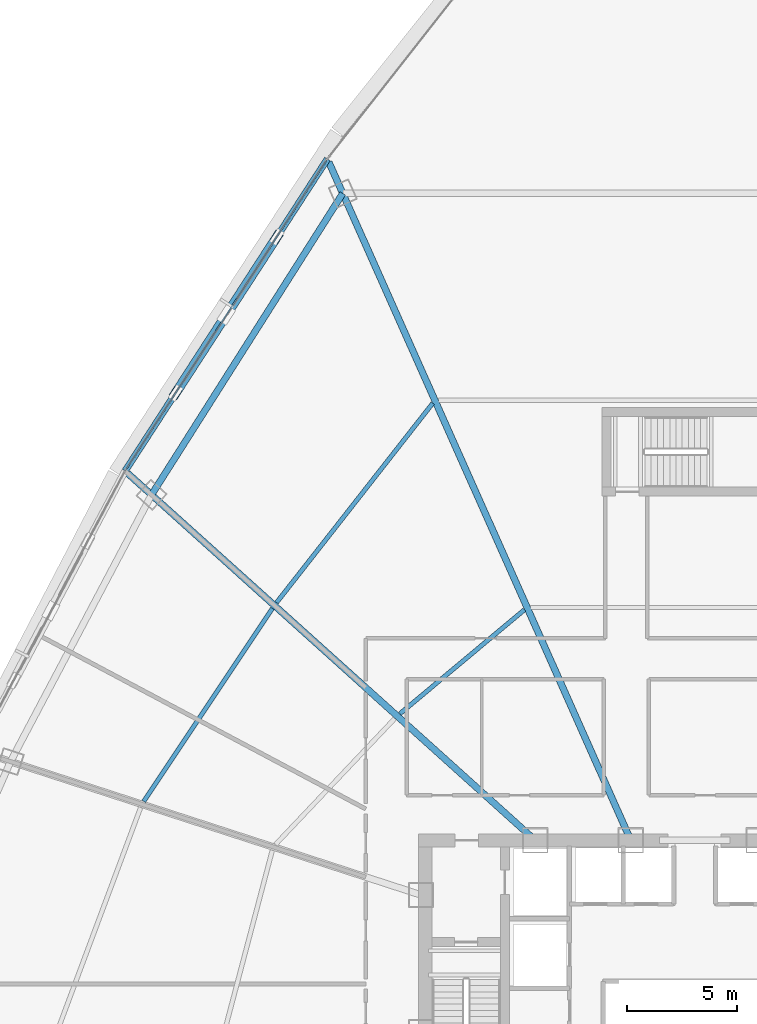
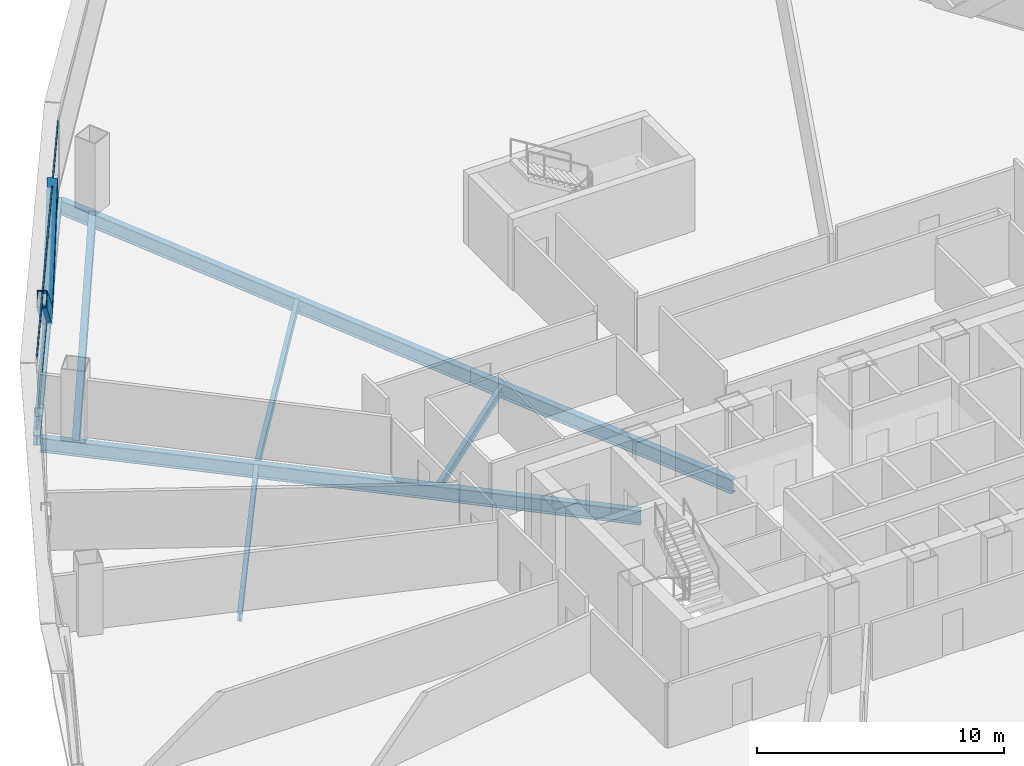
# One storey, part 15 of 36: 7 beams, 4 members, 1 element without a shape of its own.
"""IFC4 building model written with IfcOpenShell, lengths in metres."""

from ifc_helpers import new_model, si_unit, direction, frame, origin, origin_2d, place, context, subcontext, project, spatial, hollow_rectangle, i_section, extrude, source, transform, mapped, material, layer, layer_set, material_profile, profile_set, type_object, element, aggregate, save


model = new_model("IFC4")

# Units and contexts
model_context = context("Model", 3, precision=1e-05, world=origin(), true_north=direction((0.0, 1.0)))
body_context = subcontext(model_context, "Body", "Model", "MODEL_VIEW")
ifc_project = project(units=[si_unit("LENGTHUNIT", "METRE"), si_unit("AREAUNIT", "SQUARE_METRE"), si_unit("VOLUMEUNIT", "CUBIC_METRE"), si_unit("PLANEANGLEUNIT", "RADIAN"), si_unit("MASSUNIT", "GRAM", prefix="KILO"), si_unit("THERMODYNAMICTEMPERATUREUNIT", "KELVIN"), si_unit("POWERUNIT", "WATT")], contexts=[model_context])

# Site, building, storey
site_placement = place(None, origin())
site = spatial("IfcSite", under=ifc_project, at=site_placement, CompositionType="ELEMENT")
building_placement = place(site_placement, origin())
building = spatial("IfcBuilding", under=site, at=building_placement, Name="Yunzhuo Pagoda Commons", CompositionType="ELEMENT")
storey_placement = place(building_placement, frame((0.0, 0.0, 103.97998046875)))
storey = spatial("IfcBuildingStorey", under=building, at=storey_placement, Name="L26", CompositionType="ELEMENT", Elevation=103.97998046875)

# Beams
ifc_material_1 = material(Name="Structural steel Q355B", Category="steel")
ifc_material_profile_1 = material_profile(ifc_material_1, i_section(OverallWidth=0.300048828125, OverallDepth=0.699951171875, WebThickness=0.012939453125, FlangeThickness=0.02392578125, at=origin_2d()), Name="Structural steel Q355B")
ifc_profile_set_1 = profile_set([ifc_material_profile_1], Name="Structural steel Q355B")
beam_type_1 = type_object("IfcBeamType", Name="B-RG1 Beam HN 700x300x13x24", PredefinedType="BEAM", material=ifc_profile_set_1)
shared_shape_1 = source(origin(), body_context, "Body", "SweptSolid", [
    extrude(i_section(OverallWidth=0.300048828125, OverallDepth=0.699951171875, WebThickness=0.012939453125, FlangeThickness=0.02392578125, at=origin_2d()), origin(), (0.0, 0.0, 1.0), 16.16845703125),
])
beam_1_placement = place(storey_placement, frame((32.05859375, 69.505126953125, -0.60986328125), z_axis=(-0.535695673154, -0.844411123662, 0.0), x_axis=(0.844411123662, -0.535695673154, 0.0)))
element("IfcBeam", 1, at=beam_1_placement, inside=storey, type_object=beam_type_1, Name="L26 column-ring beam 9", PredefinedType="BEAM", context=body_context, shape_type="MappedRepresentation", body=[
    mapped(shared_shape_1, transform((0.0, 0.0, 0.0), scale=1.0)),
])
ifc_material_profile_2 = material_profile(ifc_material_1, i_section(OverallWidth=0.199951171875, OverallDepth=0.39990234375, WebThickness=0.008056640625, FlangeThickness=0.012939453125, at=origin_2d()), Name="Structural steel Q355B")
ifc_profile_set_2 = profile_set([ifc_material_profile_2], Name="Structural steel Q355B")
beam_type_2 = type_object("IfcBeamType", Name="B-JS1 Joist HN 400x200x8x13", PredefinedType="JOIST", material=ifc_profile_set_2)
shared_shape_2 = source(origin(), body_context, "Body", "SweptSolid", [
    extrude(i_section(OverallWidth=0.199951171875, OverallDepth=0.39990234375, WebThickness=0.008056640625, FlangeThickness=0.012939453125, at=origin_2d()), origin(), (0.0, 0.0, 1.0), 10.50537109375),
])
beam_2_placement = place(storey_placement, frame((28.871826171875, 50.711181640625, -0.459716796875), z_axis=(-0.554523204193, -0.832168261839, 0.0), x_axis=(0.832168261839, -0.554523204193, 0.0)))
element("IfcBeam", 2, at=beam_2_placement, inside=storey, type_object=beam_type_2, Name="L26 composite ring joist 2.10", PredefinedType="JOIST", context=body_context, shape_type="MappedRepresentation", body=[
    mapped(shared_shape_2, transform((0.0, 0.0, 0.0), scale=1.0)),
])
shared_shape_3 = source(origin(), body_context, "Body", "SweptSolid", [
    extrude(i_section(OverallWidth=0.199951171875, OverallDepth=0.39990234375, WebThickness=0.008056640625, FlangeThickness=0.012939453125, at=origin_2d()), origin(), (0.0, 0.0, 1.0), 7.35009765625),
])
beam_3_placement = place(storey_placement, frame((40.286865234375, 50.64794921875, -0.459716796875), z_axis=(-0.767561992249, -0.640974717173, 0.0), x_axis=(0.640974717173, -0.767561992249, 0.0)))
element("IfcBeam", 3, at=beam_3_placement, inside=storey, type_object=beam_type_2, Name="L26 composite ring joist 1.9", PredefinedType="JOIST", context=body_context, shape_type="MappedRepresentation", body=[
    mapped(shared_shape_3, transform((0.0, 0.0, 0.0), scale=1.0)),
])
shared_shape_4 = source(origin(), body_context, "Body", "SweptSolid", [
    extrude(i_section(OverallWidth=0.199951171875, OverallDepth=0.39990234375, WebThickness=0.008056640625, FlangeThickness=0.012939453125, at=origin_2d()), origin(), (0.0, 0.0, 1.0), 11.4755859375),
])
beam_4_placement = place(storey_placement, frame((36.135498046875, 60.002197265625, -0.459716796875), z_axis=(-0.616713174055, -0.787187945123, 0.0), x_axis=(0.787187945123, -0.616713174055, 0.0)))
element("IfcBeam", 4, at=beam_4_placement, inside=storey, type_object=beam_type_2, Name="L26 composite ring joist 2.9", PredefinedType="JOIST", context=body_context, shape_type="MappedRepresentation", body=[
    mapped(shared_shape_4, transform((0.0, 0.0, 0.0), scale=1.0)),
])
shared_shape_5 = source(origin(), body_context, "Body", "SweptSolid", [
    extrude(i_section(OverallWidth=0.300048828125, OverallDepth=0.699951171875, WebThickness=0.012939453125, FlangeThickness=0.02392578125, at=origin_2d()), origin(), (0.0, 0.0, 1.0), 24.849853515625),
])
beam_5_placement = place(storey_placement, frame((22.31396484375, 56.827880859375, -0.60986328125), z_axis=(0.743142198671, -0.669133523712, 0.0), x_axis=(0.669133523712, 0.743142198671, 0.0)))
element("IfcBeam", 5, at=beam_5_placement, inside=storey, type_object=beam_type_1, Name="L26 radial floor girder F3C2", PredefinedType="BEAM", context=body_context, shape_type="MappedRepresentation", body=[
    mapped(shared_shape_5, transform((0.0, 0.0, 0.0), scale=1.0)),
])
shared_shape_6 = source(origin(), body_context, "Body", "SweptSolid", [
    extrude(i_section(OverallWidth=0.300048828125, OverallDepth=0.699951171875, WebThickness=0.012939453125, FlangeThickness=0.02392578125, at=origin_2d()), origin(), (0.0, 0.0, 1.0), 33.631591796875),
])
beam_6_placement = place(storey_placement, frame((31.4267578125, 70.924072265625, -0.60986328125), z_axis=(0.406735133761, -0.913546129631, 0.0), x_axis=(0.913546129631, 0.406735133761, 0.0)))
element("IfcBeam", 6, at=beam_6_placement, inside=storey, type_object=beam_type_1, Name="L26 radial floor girder F3C1", PredefinedType="BEAM", context=body_context, shape_type="MappedRepresentation", body=[
    mapped(shared_shape_6, transform((0.0, 0.0, 0.0), scale=1.0)),
])
ifc_material_profile_3 = material_profile(ifc_material_1, i_section(OverallWidth=0.300048828125, OverallDepth=0.488037109375, WebThickness=0.010986328125, FlangeThickness=0.01806640625, at=origin_2d()), Name="Structural steel Q355B")
ifc_profile_set_3 = profile_set([ifc_material_profile_3], Name="Structural steel Q355B")
beam_type_3 = type_object("IfcBeamType", Name="B-SP1 Beam HM 488x300x11x18", PredefinedType="BEAM", material=ifc_profile_set_3)
shared_shape_7 = source(origin(), body_context, "Body", "SweptSolid", [
    extrude(i_section(OverallWidth=0.300048828125, OverallDepth=0.488037109375, WebThickness=0.010986328125, FlangeThickness=0.01806640625, at=origin_2d()), origin(), (0.0, 0.0, 1.0), 16.845458984375),
])
beam_7_placement = place(storey_placement, frame((31.364013671875, 71.065673828125, -0.50390625), z_axis=(-0.544066481819, -0.839042110601, 0.0), x_axis=(0.839042110601, -0.544066481819, 0.0)))
element("IfcBeam", 7, at=beam_7_placement, inside=storey, type_object=beam_type_3, Name="L26 facade edge spandrel beam F3.1", PredefinedType="BEAM", context=body_context, shape_type="MappedRepresentation", body=[
    mapped(shared_shape_7, transform((0.0, 0.0, 0.0), scale=1.0)),
])

# Members
ifc_material_2 = material(Name="Structural steel Q420B", Category="steel")
ifc_material_profile_4 = material_profile(ifc_material_2, hollow_rectangle(XDim=0.419921875, YDim=0.719970703125, WallThickness=0.028076171875, at=origin_2d()), Name="Structural steel Q420B")
ifc_profile_set_4 = profile_set([ifc_material_profile_4], Name="Structural steel Q420B")
member_type_1 = type_object("IfcMemberType", Name="M-DL1 Brace BOX 720x420x28", PredefinedType="BRACE", material=ifc_profile_set_4)
shared_shape_8 = source(origin(), body_context, "Body", "SweptSolid", [
    extrude(hollow_rectangle(XDim=0.419921875, YDim=0.719970703125, WallThickness=0.028076171875, at=origin_2d()), origin(), (0.0, 0.0, 1.0), 5.672607421875),
])
for number, where, z_axis, x_axis, name in (
    (8, (26.78125, 63.99853515625, -0.260009765625), (0.403923581373, 0.622907404711, 0.669949330597), (-0.839037820479, 0.544073097851, 0.0), "L26 facade diamond brace F3.1L"),
    (9, (26.78125, 63.99853515625, -0.260009765625), (-0.403923581373, -0.622907404711, 0.669949330597), (0.839037820479, -0.544073097851, 0.0), "L26 facade diamond brace F3.1R"),
):
    element("IfcMember", number, at=place(storey_placement, frame(where, z_axis=z_axis, x_axis=x_axis)), inside=storey, type_object=member_type_1, Name=name, PredefinedType="BRACE", context=body_context, shape_type="MappedRepresentation", body=[
        mapped(shared_shape_8, transform((0.0, 0.0, 0.0), scale=1.0)),
    ])

# Curtain wall, members
ifc_material_3 = material(Name="Anodized aluminium 6063-T6", Category="aluminium")
ifc_layer = layer(ifc_material_3, 0.1650390625)
ifc_layer_set = layer_set([ifc_layer], Name="Anodized aluminium 6063-T6")
curtain_wall_type = type_object("IfcCurtainWallType", Name="CW-LOW Low-Zone Ribbon Curtain Wall", PredefinedType="NOTDEFINED", material=ifc_layer_set)
curtain_wall_placement = place(storey_placement, origin())
curtain_wall = element("IfcCurtainWall", 10, at=curtain_wall_placement, inside=storey, type_object=curtain_wall_type, Name="L26 curtain wall CW-L26-F3B2", PredefinedType="NOTDEFINED")
ifc_material_profile_5 = material_profile(ifc_material_3, hollow_rectangle(XDim=0.06005859375, YDim=0.139892578125, WallThickness=0.00341796875, at=origin_2d()), Name="Anodized aluminium 6063-T6")
ifc_profile_set_5 = profile_set([ifc_material_profile_5], Name="Anodized aluminium 6063-T6")
member_type_2 = type_object("IfcMemberType", Name="CW-LOW-T Transom RHS 140x60x3.5", PredefinedType="USERDEFINED", material=ifc_profile_set_5)
shared_shape_9 = source(origin(), body_context, "Body", "SweptSolid", [
    extrude(hollow_rectangle(XDim=0.06005859375, YDim=0.139892578125, WallThickness=0.00341796875, at=origin_2d()), origin(), (0.0, 0.0, 1.0), 16.71533203125),
])
member_1_placement = place(storey_placement, frame((31.328369140625, 71.010986328125, 0.030029296875), z_axis=(-0.544064956153, -0.839043099898, 0.0), x_axis=(0.839043099898, -0.544064956153, 0.0)))
member_1 = element("IfcMember", 11, at=member_1_placement, type_object=member_type_2, Name="CW transom 1.1", ObjectType="TRANSOM", PredefinedType="USERDEFINED", context=body_context, shape_type="MappedRepresentation", body=[
    mapped(shared_shape_9, transform((0.0, 0.0, 0.0), scale=1.0)),
])
member_2_placement = place(storey_placement, frame((31.328369140625, 71.010986328125, 3.510009765625), z_axis=(-0.544064956153, -0.839043099898, 0.0), x_axis=(0.839043099898, -0.544064956153, 0.0)))
member_2 = element("IfcMember", 12, at=member_2_placement, type_object=member_type_2, Name="CW transom 1.2", ObjectType="TRANSOM", PredefinedType="USERDEFINED", context=body_context, shape_type="MappedRepresentation", body=[
    mapped(shared_shape_9, transform((0.0, 0.0, 0.0), scale=1.0)),
])
aggregate(curtain_wall, [member_1, member_2])

save(model, "model.ifc")
